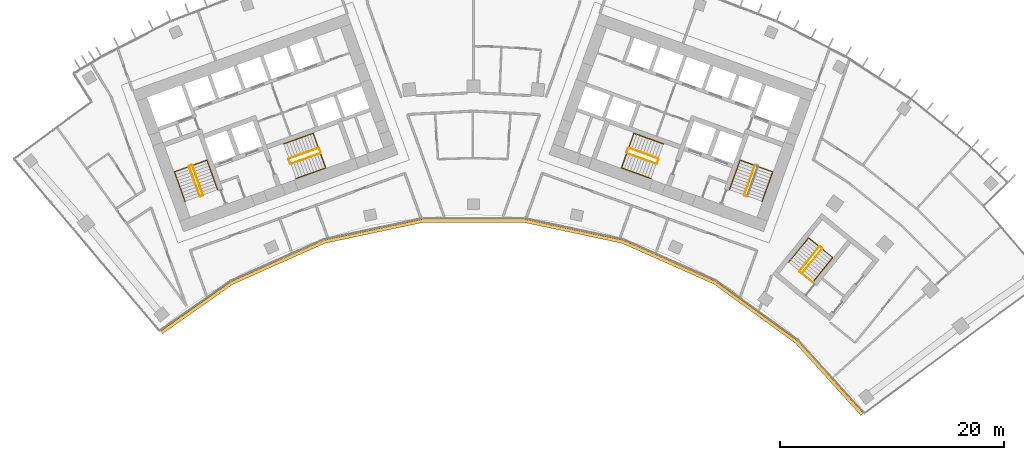
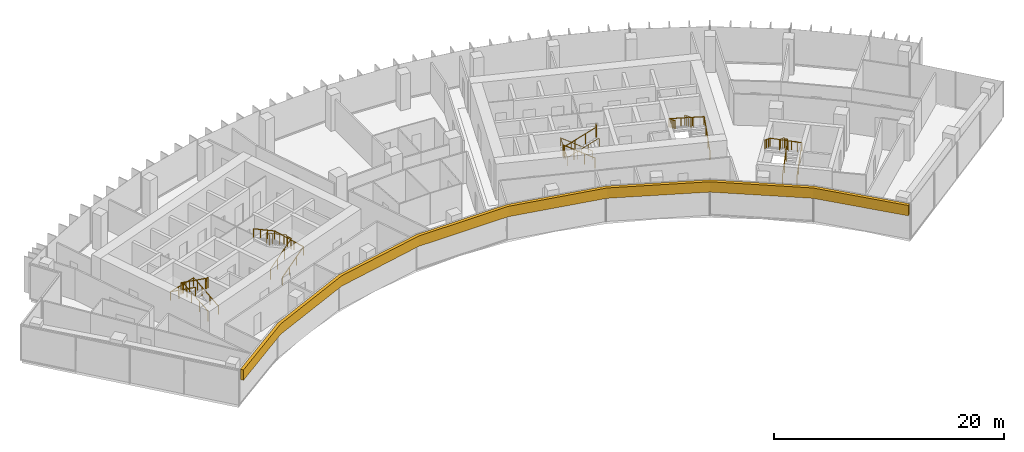
# One storey, part 18 of 19: 14 railings, 1 covering.
"""IFC4 building model written with IfcOpenShell, lengths in metres."""

from ifc_helpers import new_model, si_unit, direction, frame, origin, origin_2d, place, context, subcontext, project, spatial, polyline, circle, outline, extrude, material, layer, layer_set, type_object, element, save


model = new_model("IFC4")

# Units and contexts
model_context = context("Model", 3, precision=1e-05, world=origin(), true_north=direction((0.0, 1.0)))
body_context = subcontext(model_context, "Body", "Model", "MODEL_VIEW")
ifc_project = project(units=[si_unit("LENGTHUNIT", "METRE"), si_unit("AREAUNIT", "SQUARE_METRE"), si_unit("VOLUMEUNIT", "CUBIC_METRE"), si_unit("PLANEANGLEUNIT", "RADIAN"), si_unit("MASSUNIT", "GRAM", prefix="KILO")], contexts=[model_context])

# Site, building, storey
site_placement = place(None, origin())
site = spatial("IfcSite", under=ifc_project, at=site_placement, CompositionType="ELEMENT")
building_placement = place(site_placement, origin())
building = spatial("IfcBuilding", under=site, at=building_placement, Name="Stone Belt Terrace Tower", CompositionType="ELEMENT")
storey_placement = place(building_placement, frame((0.0, 0.0, 246.60009765625)))
storey = spatial("IfcBuildingStorey", under=building, at=storey_placement, Name="L60", CompositionType="ELEMENT", Elevation=246.60009765625)

# Railings
ifc_material_1 = material(Name="Structural steel C345", Category="steel")
railing_type_1 = type_object("IfcRailingType", Name="Stair guard 1100", PredefinedType="GUARDRAIL", material=ifc_material_1)
railing_1_placement = place(storey_placement, frame((-24.2119140625, 45.276123046875, 0.172607421875)))
element("IfcRailing", 1, at=railing_1_placement, inside=storey, type_object=railing_type_1, Name="L60 ST1A stair guard 1", PredefinedType="GUARDRAIL", context=body_context, shape_type="SweptSolid", body=[
    extrude(circle(Radius=0.02392578125, at=origin_2d()), frame((0.0, 0.0, 1.076171875), z_axis=(-0.288228637646, 0.800791768495, 0.525030280985), x_axis=(-0.940908529223, -0.338660803216, 0.0)), (0.0, 0.0, 1.0), 3.289794921875),
    extrude(circle(Radius=0.02392578125, at=origin_2d()), frame((-0.9482421875, 2.634521484375, 2.80322265625), z_axis=(-0.905209821074, 0.424964916, 0.0), x_axis=(-0.424964916, -0.905209821074, 0.0)), (0.0, 0.0, 1.0), 0.070556640625),
    extrude(circle(Radius=0.02392578125, at=origin_2d()), frame((-1.01220703125, 2.66455078125, 2.80322265625), z_axis=(-0.941105063269, -0.338114270461, 0.0), x_axis=(0.338114270461, -0.941105063269, 0.0)), (0.0, 0.0, 1.0), 0.199951171875),
    extrude(circle(Radius=0.02099609375, at=origin_2d()), origin(), (0.0, 0.0, 1.0), 1.052001953125),
    extrude(circle(Radius=0.02099609375, at=origin_2d()), frame((-0.316162109375, 0.878173828125, 0.57568359375)), (0.0, 0.0, 1.0), 1.052001953125),
    extrude(circle(Radius=0.02099609375, at=origin_2d()), frame((-0.632080078125, 1.75634765625, 1.151611328125)), (0.0, 0.0, 1.0), 1.052001953125),
    extrude(circle(Radius=0.02099609375, at=origin_2d()), frame((-0.9482421875, 2.634521484375, 1.727294921875)), (0.0, 0.0, 1.0), 1.052001953125),
    extrude(circle(Radius=0.02099609375, at=origin_2d()), frame((-1.01220703125, 2.66455078125, 1.727294921875)), (0.0, 0.0, 1.0), 1.052001953125),
    extrude(circle(Radius=0.02099609375, at=origin_2d()), frame((-1.200439453125, 2.596923828125, 1.727294921875)), (0.0, 0.0, 1.0), 1.052001953125),
])
railing_2_placement = place(storey_placement, frame((-25.4423828125, 47.80908203125, 2.072509765625)))
element("IfcRailing", 2, at=railing_2_placement, inside=storey, type_object=railing_type_1, Name="L60 ST1A stair guard 2", PredefinedType="GUARDRAIL", context=body_context, shape_type="SweptSolid", body=[
    extrude(circle(Radius=0.02392578125, at=origin_2d()), frame((0.0, 0.0, 1.076171875), z_axis=(0.288228637646, -0.800791768495, 0.525030280985), x_axis=(0.940908529223, 0.338660803216, 0.0)), (0.0, 0.0, 1.0), 3.289794921875),
    extrude(circle(Radius=0.02392578125, at=origin_2d()), frame((0.9482421875, -2.634521484375, 2.80322265625), z_axis=(0.903878284585, -0.427789722475, 0.0), x_axis=(0.427789722475, 0.903878284585, 0.0)), (0.0, 0.0, 1.0), 0.07080078125),
    extrude(circle(Radius=0.02392578125, at=origin_2d()), frame((1.01220703125, -2.664794921875, 2.80322265625), z_axis=(0.940575576748, 0.339584429008, 0.0), x_axis=(-0.339584429008, 0.940575576748, 0.0)), (0.0, 0.0, 1.0), 0.199951171875),
    extrude(circle(Radius=0.02099609375, at=origin_2d()), origin(), (0.0, 0.0, 1.0), 1.052001953125),
    extrude(circle(Radius=0.02099609375, at=origin_2d()), frame((0.316162109375, -0.878173828125, 0.57568359375)), (0.0, 0.0, 1.0), 1.052001953125),
    extrude(circle(Radius=0.02099609375, at=origin_2d()), frame((0.632080078125, -1.75634765625, 1.151611328125)), (0.0, 0.0, 1.0), 1.052001953125),
    extrude(circle(Radius=0.02099609375, at=origin_2d()), frame((0.9482421875, -2.634521484375, 1.727294921875)), (0.0, 0.0, 1.0), 1.052001953125),
    extrude(circle(Radius=0.02099609375, at=origin_2d()), frame((1.01220703125, -2.664794921875, 1.727294921875)), (0.0, 0.0, 1.0), 1.052001953125),
    extrude(circle(Radius=0.02099609375, at=origin_2d()), frame((1.2001953125, -2.596923828125, 1.727294921875)), (0.0, 0.0, 1.0), 1.052001953125),
])
railing_3_placement = place(storey_placement, frame((-16.33837890625, 48.056640625, 0.172607421875)))
element("IfcRailing", 3, at=railing_3_placement, inside=storey, type_object=railing_type_1, Name="L60 ST2A stair guard 1", PredefinedType="GUARDRAIL", context=body_context, shape_type="SweptSolid", body=[
    extrude(circle(Radius=0.02392578125, at=origin_2d()), frame((0.0, 0.0, 1.076171875), z_axis=(0.800808895155, 0.288160591223, 0.52504150989), x_axis=(-0.338583606334, 0.940936311087, 0.0)), (0.0, 0.0, 1.0), 3.289794921875),
    extrude(circle(Radius=0.02392578125, at=origin_2d()), frame((2.634521484375, 0.947998046875, 2.80322265625), z_axis=(0.427789722475, 0.903878284585, 0.0), x_axis=(-0.903878284585, 0.427789722475, 0.0)), (0.0, 0.0, 1.0), 0.07080078125),
    extrude(circle(Radius=0.02392578125, at=origin_2d()), frame((2.664794921875, 1.011962890625, 2.80322265625), z_axis=(-0.338654645739, 0.940910745459, 0.0), x_axis=(-0.940910745459, -0.338654645739, 0.0)), (0.0, 0.0, 1.0), 0.400146484375),
    extrude(circle(Radius=0.02099609375, at=origin_2d()), origin(), (0.0, 0.0, 1.0), 1.052001953125),
    extrude(circle(Radius=0.02099609375, at=origin_2d()), frame((0.878173828125, 0.31591796875, 0.57568359375)), (0.0, 0.0, 1.0), 1.052001953125),
    extrude(circle(Radius=0.02099609375, at=origin_2d()), frame((1.75634765625, 0.632080078125, 1.151611328125)), (0.0, 0.0, 1.0), 1.052001953125),
    extrude(circle(Radius=0.02099609375, at=origin_2d()), frame((2.634521484375, 0.947998046875, 1.727294921875)), (0.0, 0.0, 1.0), 1.052001953125),
    extrude(circle(Radius=0.02099609375, at=origin_2d()), frame((2.664794921875, 1.011962890625, 1.727294921875)), (0.0, 0.0, 1.0), 1.052001953125),
    extrude(circle(Radius=0.02099609375, at=origin_2d()), frame((2.529296875, 1.388427734375, 1.727294921875)), (0.0, 0.0, 1.0), 1.052001953125),
])
railing_4_placement = place(storey_placement, frame((-13.873046875, 49.47509765625, 2.072509765625)))
element("IfcRailing", 4, at=railing_4_placement, inside=storey, type_object=railing_type_1, Name="L60 ST2A stair guard 2", PredefinedType="GUARDRAIL", context=body_context, shape_type="SweptSolid", body=[
    extrude(circle(Radius=0.02392578125, at=origin_2d()), frame((0.0, 0.0, 1.076171875), z_axis=(-0.800808895155, -0.288160591223, 0.52504150989), x_axis=(0.338583606334, -0.940936311087, 0.0)), (0.0, 0.0, 1.0), 3.289794921875),
    extrude(circle(Radius=0.02392578125, at=origin_2d()), frame((-2.634521484375, -0.947998046875, 2.80322265625), z_axis=(-0.427789722475, -0.903878284585, 0.0), x_axis=(0.903878284585, -0.427789722475, 0.0)), (0.0, 0.0, 1.0), 0.07080078125),
    extrude(circle(Radius=0.02392578125, at=origin_2d()), frame((-2.664794921875, -1.011962890625, 2.80322265625), z_axis=(0.338654645739, -0.940910745459, 0.0), x_axis=(0.940910745459, 0.338654645739, 0.0)), (0.0, 0.0, 1.0), 0.400146484375),
    extrude(circle(Radius=0.02099609375, at=origin_2d()), origin(), (0.0, 0.0, 1.0), 1.052001953125),
    extrude(circle(Radius=0.02099609375, at=origin_2d()), frame((-0.878173828125, -0.31591796875, 0.57568359375)), (0.0, 0.0, 1.0), 1.052001953125),
    extrude(circle(Radius=0.02099609375, at=origin_2d()), frame((-1.75634765625, -0.632080078125, 1.151611328125)), (0.0, 0.0, 1.0), 1.052001953125),
    extrude(circle(Radius=0.02099609375, at=origin_2d()), frame((-2.634521484375, -0.947998046875, 1.727294921875)), (0.0, 0.0, 1.0), 1.052001953125),
    extrude(circle(Radius=0.02099609375, at=origin_2d()), frame((-2.664794921875, -1.011962890625, 1.727294921875)), (0.0, 0.0, 1.0), 1.052001953125),
    extrude(circle(Radius=0.02099609375, at=origin_2d()), frame((-2.529296875, -1.388427734375, 1.727294921875)), (0.0, 0.0, 1.0), 1.052001953125),
])
railing_5_placement = place(storey_placement, frame((25.16015625, 47.91064453125, 2.072509765625)))
element("IfcRailing", 5, at=railing_5_placement, inside=storey, type_object=railing_type_1, Name="L60 ST1B stair guard 2", PredefinedType="GUARDRAIL", context=body_context, shape_type="SweptSolid", body=[
    extrude(circle(Radius=0.02392578125, at=origin_2d()), frame((0.0, 0.0, 1.076171875), z_axis=(-0.288228637646, -0.800791768495, 0.525030280985), x_axis=(0.940908529223, -0.338660803216, 0.0)), (0.0, 0.0, 1.0), 3.289794921875),
    extrude(circle(Radius=0.02392578125, at=origin_2d()), frame((-0.9482421875, -2.634521484375, 2.80322265625), z_axis=(0.427789722475, -0.903878284585, 0.0), x_axis=(0.903878284585, 0.427789722475, 0.0)), (0.0, 0.0, 1.0), 0.07080078125),
    extrude(circle(Radius=0.02392578125, at=origin_2d()), frame((-0.91796875, -2.698486328125, 2.80322265625), z_axis=(0.940575576748, -0.339584429008, 0.0), x_axis=(0.339584429008, 0.940575576748, 0.0)), (0.0, 0.0, 1.0), 0.199951171875),
    extrude(circle(Radius=0.02099609375, at=origin_2d()), origin(), (0.0, 0.0, 1.0), 1.052001953125),
    extrude(circle(Radius=0.02099609375, at=origin_2d()), frame((-0.316162109375, -0.878173828125, 0.57568359375)), (0.0, 0.0, 1.0), 1.052001953125),
    extrude(circle(Radius=0.02099609375, at=origin_2d()), frame((-0.632080078125, -1.75634765625, 1.151611328125)), (0.0, 0.0, 1.0), 1.052001953125),
    extrude(circle(Radius=0.02099609375, at=origin_2d()), frame((-0.9482421875, -2.634521484375, 1.727294921875)), (0.0, 0.0, 1.0), 1.052001953125),
    extrude(circle(Radius=0.02099609375, at=origin_2d()), frame((-0.91796875, -2.698486328125, 1.727294921875)), (0.0, 0.0, 1.0), 1.052001953125),
    extrude(circle(Radius=0.02099609375, at=origin_2d()), frame((-0.72998046875, -2.766357421875, 1.727294921875)), (0.0, 0.0, 1.0), 1.052001953125),
])
railing_6_placement = place(storey_placement, frame((16.507568359375, 48.527099609375, 0.172607421875)))
element("IfcRailing", 6, at=railing_6_placement, inside=storey, type_object=railing_type_1, Name="L60 ST2B stair guard 1", PredefinedType="GUARDRAIL", context=body_context, shape_type="SweptSolid", body=[
    extrude(circle(Radius=0.02392578125, at=origin_2d()), frame((0.0, 0.0, 1.076171875), z_axis=(-0.800808895155, 0.288160591223, 0.52504150989), x_axis=(-0.338583606334, -0.940936311087, 0.0)), (0.0, 0.0, 1.0), 3.289794921875),
    extrude(circle(Radius=0.02392578125, at=origin_2d()), frame((-2.634521484375, 0.947998046875, 2.80322265625), z_axis=(-0.905209821074, -0.424964916, 0.0), x_axis=(0.424964916, -0.905209821074, 0.0)), (0.0, 0.0, 1.0), 0.070556640625),
    extrude(circle(Radius=0.02392578125, at=origin_2d()), frame((-2.698486328125, 0.91796875, 2.80322265625), z_axis=(-0.338654645739, -0.940910745459, 0.0), x_axis=(0.940910745459, -0.338654645739, 0.0)), (0.0, 0.0, 1.0), 0.400146484375),
    extrude(circle(Radius=0.02099609375, at=origin_2d()), origin(), (0.0, 0.0, 1.0), 1.052001953125),
    extrude(circle(Radius=0.02099609375, at=origin_2d()), frame((-0.878173828125, 0.31591796875, 0.57568359375)), (0.0, 0.0, 1.0), 1.052001953125),
    extrude(circle(Radius=0.02099609375, at=origin_2d()), frame((-1.75634765625, 0.632080078125, 1.151611328125)), (0.0, 0.0, 1.0), 1.052001953125),
    extrude(circle(Radius=0.02099609375, at=origin_2d()), frame((-2.634521484375, 0.947998046875, 1.727294921875)), (0.0, 0.0, 1.0), 1.052001953125),
    extrude(circle(Radius=0.02099609375, at=origin_2d()), frame((-2.698486328125, 0.91796875, 1.727294921875)), (0.0, 0.0, 1.0), 1.052001953125),
    extrude(circle(Radius=0.02099609375, at=origin_2d()), frame((-2.833984375, 0.54150390625, 1.727294921875)), (0.0, 0.0, 1.0), 1.052001953125),
])
railing_7_placement = place(storey_placement, frame((13.703857421875, 49.004638671875, 2.072509765625)))
element("IfcRailing", 7, at=railing_7_placement, inside=storey, type_object=railing_type_1, Name="L60 ST2B stair guard 2", PredefinedType="GUARDRAIL", context=body_context, shape_type="SweptSolid", body=[
    extrude(circle(Radius=0.02392578125, at=origin_2d()), frame((0.0, 0.0, 1.076171875), z_axis=(0.800808895155, -0.288160591223, 0.52504150989), x_axis=(0.338583606334, 0.940936311087, 0.0)), (0.0, 0.0, 1.0), 3.289794921875),
    extrude(circle(Radius=0.02392578125, at=origin_2d()), frame((2.634521484375, -0.947998046875, 2.80322265625), z_axis=(0.905209821074, 0.424964916, 0.0), x_axis=(-0.424964916, 0.905209821074, 0.0)), (0.0, 0.0, 1.0), 0.070556640625),
    extrude(circle(Radius=0.02392578125, at=origin_2d()), frame((2.698486328125, -0.91796875, 2.80322265625), z_axis=(0.338654645739, 0.940910745459, 0.0), x_axis=(-0.940910745459, 0.338654645739, 0.0)), (0.0, 0.0, 1.0), 0.400146484375),
    extrude(circle(Radius=0.02099609375, at=origin_2d()), origin(), (0.0, 0.0, 1.0), 1.052001953125),
    extrude(circle(Radius=0.02099609375, at=origin_2d()), frame((0.878173828125, -0.31591796875, 0.57568359375)), (0.0, 0.0, 1.0), 1.052001953125),
    extrude(circle(Radius=0.02099609375, at=origin_2d()), frame((1.75634765625, -0.632080078125, 1.151611328125)), (0.0, 0.0, 1.0), 1.052001953125),
    extrude(circle(Radius=0.02099609375, at=origin_2d()), frame((2.634521484375, -0.947998046875, 1.727294921875)), (0.0, 0.0, 1.0), 1.052001953125),
    extrude(circle(Radius=0.02099609375, at=origin_2d()), frame((2.698486328125, -0.91796875, 1.727294921875)), (0.0, 0.0, 1.0), 1.052001953125),
    extrude(circle(Radius=0.02099609375, at=origin_2d()), frame((2.833984375, -0.54150390625, 1.727294921875)), (0.0, 0.0, 1.0), 1.052001953125),
])
railing_8_placement = place(storey_placement, frame((29.39794921875, 38.281982421875, 0.172607421875)))
element("IfcRailing", 8, at=railing_8_placement, inside=storey, type_object=railing_type_1, Name="L60 ST3B stair guard 1", PredefinedType="GUARDRAIL", context=body_context, shape_type="SweptSolid", body=[
    extrude(circle(Radius=0.02392578125, at=origin_2d()), frame((0.0, 0.0, 1.076171875), z_axis=(0.536393061503, 0.660769759217, 0.525038864158), x_axis=(-0.776391310223, 0.630251166924, 0.0)), (0.0, 0.0, 1.0), 3.289794921875),
    extrude(circle(Radius=0.02392578125, at=origin_2d()), frame((1.7646484375, 2.173828125, 2.80322265625), z_axis=(-0.103251414163, 0.994655289773, 0.0), x_axis=(-0.994655289773, -0.103251414163, 0.0)), (0.0, 0.0, 1.0), 0.071044921875),
    extrude(circle(Radius=0.02392578125, at=origin_2d()), frame((1.75732421875, 2.244384765625, 2.80322265625), z_axis=(-0.776561986372, 0.630040856868, 0.0), x_axis=(-0.630040856868, -0.776561986372, 0.0)), (0.0, 0.0, 1.0), 0.199951171875),
    extrude(circle(Radius=0.02099609375, at=origin_2d()), origin(), (0.0, 0.0, 1.0), 1.052001953125),
    extrude(circle(Radius=0.02099609375, at=origin_2d()), frame((0.588134765625, 0.724609375, 0.57568359375)), (0.0, 0.0, 1.0), 1.052001953125),
    extrude(circle(Radius=0.02099609375, at=origin_2d()), frame((1.176513671875, 1.44921875, 1.151611328125)), (0.0, 0.0, 1.0), 1.052001953125),
    extrude(circle(Radius=0.02099609375, at=origin_2d()), frame((1.7646484375, 2.173828125, 1.727294921875)), (0.0, 0.0, 1.0), 1.052001953125),
    extrude(circle(Radius=0.02099609375, at=origin_2d()), frame((1.75732421875, 2.244384765625, 1.727294921875)), (0.0, 0.0, 1.0), 1.052001953125),
    extrude(circle(Radius=0.02099609375, at=origin_2d()), frame((1.60205078125, 2.370361328125, 1.727294921875)), (0.0, 0.0, 1.0), 1.052001953125),
])
railing_9_placement = place(storey_placement, frame((30.9296875, 40.64501953125, 2.072509765625)))
element("IfcRailing", 9, at=railing_9_placement, inside=storey, type_object=railing_type_1, Name="L60 ST3B stair guard 2", PredefinedType="GUARDRAIL", context=body_context, shape_type="SweptSolid", body=[
    extrude(circle(Radius=0.02392578125, at=origin_2d()), frame((0.0, 0.0, 1.076171875), z_axis=(-0.536366759382, -0.660811565066, 0.525013118792), x_axis=(0.776425942316, -0.630208502084, 0.0)), (0.0, 0.0, 1.0), 3.2900390625),
    extrude(circle(Radius=0.02392578125, at=origin_2d()), frame((-1.7646484375, -2.174072265625, 2.80322265625), z_axis=(0.103606084259, -0.994618408891, 0.0), x_axis=(0.994618408891, 0.103606084259, 0.0)), (0.0, 0.0, 1.0), 0.07080078125),
    extrude(circle(Radius=0.02392578125, at=origin_2d()), frame((-1.75732421875, -2.244384765625, 2.80322265625), z_axis=(0.776470379848, -0.63015375046, 0.0), x_axis=(0.63015375046, 0.776470379848, 0.0)), (0.0, 0.0, 1.0), 1.550048828125),
    extrude(circle(Radius=0.02099609375, at=origin_2d()), origin(), (0.0, 0.0, 1.0), 1.052001953125),
    extrude(circle(Radius=0.02099609375, at=origin_2d()), frame((-0.588134765625, -0.724609375, 0.57568359375)), (0.0, 0.0, 1.0), 1.052001953125),
    extrude(circle(Radius=0.02099609375, at=origin_2d()), frame((-1.176513671875, -1.449462890625, 1.151611328125)), (0.0, 0.0, 1.0), 1.052001953125),
    extrude(circle(Radius=0.02099609375, at=origin_2d()), frame((-1.7646484375, -2.174072265625, 1.727294921875)), (0.0, 0.0, 1.0), 1.052001953125),
    extrude(circle(Radius=0.02099609375, at=origin_2d()), frame((-1.75732421875, -2.244384765625, 1.727294921875)), (0.0, 0.0, 1.0), 1.052001953125),
    extrude(circle(Radius=0.02099609375, at=origin_2d()), frame((-1.155517578125, -2.73291015625, 1.727294921875)), (0.0, 0.0, 1.0), 1.052001953125),
    extrude(circle(Radius=0.02099609375, at=origin_2d()), frame((-0.5537109375, -3.22119140625, 1.727294921875)), (0.0, 0.0, 1.0), 1.052001953125),
])
railing_type_2 = type_object("IfcRailingType", Name="Stair handrail 900", PredefinedType="HANDRAIL", material=ifc_material_1)
railing_10_placement = place(storey_placement, frame((-22.894775390625, 45.750244140625, 0.172607421875)))
element("IfcRailing", 10, at=railing_10_placement, inside=storey, type_object=railing_type_2, Name="L60 ST1A stair handrail 1", PredefinedType="HANDRAIL", context=body_context, shape_type="SweptSolid", body=[
    extrude(circle(Radius=0.02392578125, at=origin_2d()), frame((0.0, 0.0, 0.8759765625), z_axis=(-0.288160591223, 0.800808895155, 0.52504150989), x_axis=(-0.940936311087, -0.338583606334, 0.0)), (0.0, 0.0, 1.0), 3.289794921875),
    extrude(circle(Radius=0.02392578125, at=origin_2d()), frame((-0.947998046875, 2.634521484375, 2.60302734375), z_axis=(-0.939464517435, -0.338106580597, 0.055591012205), x_axis=(0.338630230244, -0.940919532779, 0.0)), (0.0, 0.0, 1.0), 3.10498046875),
    extrude(circle(Radius=0.02392578125, at=origin_2d()), frame((-3.864990234375, 1.584716796875, 2.77587890625), z_axis=(0.288228637646, -0.800791768495, 0.525030280985), x_axis=(0.940908529223, 0.338660803216, 0.0)), (0.0, 0.0, 1.0), 3.289794921875),
    extrude(circle(Radius=0.02099609375, at=origin_2d()), origin(), (0.0, 0.0, 1.0), 0.851806640625),
    extrude(circle(Radius=0.02099609375, at=origin_2d()), frame((-0.31591796875, 0.878173828125, 0.57568359375)), (0.0, 0.0, 1.0), 0.851806640625),
    extrude(circle(Radius=0.02099609375, at=origin_2d()), frame((-0.632080078125, 1.75634765625, 1.151611328125)), (0.0, 0.0, 1.0), 0.851806640625),
    extrude(circle(Radius=0.02099609375, at=origin_2d()), frame((-0.947998046875, 2.634521484375, 1.727294921875)), (0.0, 0.0, 1.0), 0.851806640625),
    extrude(circle(Radius=0.02099609375, at=origin_2d()), frame((-1.92041015625, 2.28466796875, 1.784912109375)), (0.0, 0.0, 1.0), 0.851806640625),
    extrude(circle(Radius=0.02099609375, at=origin_2d()), frame((-2.892578125, 1.9345703125, 1.84228515625)), (0.0, 0.0, 1.0), 0.851806640625),
    extrude(circle(Radius=0.02099609375, at=origin_2d()), frame((-3.864990234375, 1.584716796875, 1.89990234375)), (0.0, 0.0, 1.0), 0.851806640625),
    extrude(circle(Radius=0.02099609375, at=origin_2d()), frame((-3.548828125, 0.70654296875, 2.4755859375)), (0.0, 0.0, 1.0), 0.851806640625),
    extrude(circle(Radius=0.02099609375, at=origin_2d()), frame((-3.23291015625, -0.171630859375, 3.051513671875)), (0.0, 0.0, 1.0), 0.851806640625),
    extrude(circle(Radius=0.02099609375, at=origin_2d()), frame((-2.916748046875, -1.0498046875, 3.627197265625)), (0.0, 0.0, 1.0), 0.851806640625),
])
railing_11_placement = place(storey_placement, frame((-15.8642578125, 46.7392578125, 0.172607421875)))
element("IfcRailing", 11, at=railing_11_placement, inside=storey, type_object=railing_type_2, Name="L60 ST2A stair handrail 1", PredefinedType="HANDRAIL", context=body_context, shape_type="SweptSolid", body=[
    extrude(circle(Radius=0.02392578125, at=origin_2d()), frame((0.0, 0.0, 0.8759765625), z_axis=(0.800791768495, 0.288228637646, 0.525030280985), x_axis=(-0.338660803216, 0.940908529223, 0.0)), (0.0, 0.0, 1.0), 3.289794921875),
    extrude(circle(Radius=0.02392578125, at=origin_2d()), frame((2.634521484375, 0.9482421875, 2.60302734375), z_axis=(-0.338160254016, 0.939637778147, 0.052234935458), x_axis=(-0.940922302781, -0.338622533404, 0.0)), (0.0, 0.0, 1.0), 3.304443359375),
    extrude(circle(Radius=0.02392578125, at=origin_2d()), frame((1.51708984375, 4.05322265625, 2.77587890625), z_axis=(-0.800791768495, -0.288228637646, 0.525030280985), x_axis=(0.338660803216, -0.940908529223, 0.0)), (0.0, 0.0, 1.0), 3.289794921875),
    extrude(circle(Radius=0.02099609375, at=origin_2d()), origin(), (0.0, 0.0, 1.0), 0.851806640625),
    extrude(circle(Radius=0.02099609375, at=origin_2d()), frame((0.878173828125, 0.316162109375, 0.57568359375)), (0.0, 0.0, 1.0), 0.851806640625),
    extrude(circle(Radius=0.02099609375, at=origin_2d()), frame((1.75634765625, 0.632080078125, 1.151611328125)), (0.0, 0.0, 1.0), 0.851806640625),
    extrude(circle(Radius=0.02099609375, at=origin_2d()), frame((2.634521484375, 0.9482421875, 1.727294921875)), (0.0, 0.0, 1.0), 0.851806640625),
    extrude(circle(Radius=0.02099609375, at=origin_2d()), frame((2.261962890625, 1.983154296875, 1.784912109375)), (0.0, 0.0, 1.0), 0.851806640625),
    extrude(circle(Radius=0.02099609375, at=origin_2d()), frame((1.8896484375, 3.018310546875, 1.84228515625)), (0.0, 0.0, 1.0), 0.851806640625),
    extrude(circle(Radius=0.02099609375, at=origin_2d()), frame((1.51708984375, 4.05322265625, 1.89990234375)), (0.0, 0.0, 1.0), 0.851806640625),
    extrude(circle(Radius=0.02099609375, at=origin_2d()), frame((0.638916015625, 3.737060546875, 2.4755859375)), (0.0, 0.0, 1.0), 0.851806640625),
    extrude(circle(Radius=0.02099609375, at=origin_2d()), frame((-0.2392578125, 3.421142578125, 3.051513671875)), (0.0, 0.0, 1.0), 0.851806640625),
    extrude(circle(Radius=0.02099609375, at=origin_2d()), frame((-1.117431640625, 3.10498046875, 3.627197265625)), (0.0, 0.0, 1.0), 0.851806640625),
])
railing_12_placement = place(storey_placement, frame((25.8115234375, 44.700439453125, 0.172607421875)))
element("IfcRailing", 12, at=railing_12_placement, inside=storey, type_object=railing_type_2, Name="L60 ST1B stair handrail 1", PredefinedType="HANDRAIL", context=body_context, shape_type="SweptSolid", body=[
    extrude(circle(Radius=0.02392578125, at=origin_2d()), frame((0.0, 0.0, 0.8759765625), z_axis=(0.288228637646, 0.800791768495, 0.525030280985), x_axis=(-0.940908529223, 0.338660803216, 0.0)), (0.0, 0.0, 1.0), 3.289794921875),
    extrude(circle(Radius=0.02392578125, at=origin_2d()), frame((0.9482421875, 2.634521484375, 2.60302734375), z_axis=(-0.939464517435, 0.338106580597, 0.055591012205), x_axis=(-0.338630230244, -0.940919532779, 0.0)), (0.0, 0.0, 1.0), 3.10498046875),
    extrude(circle(Radius=0.02392578125, at=origin_2d()), frame((-1.96875, 3.684326171875, 2.77587890625), z_axis=(-0.288160591223, -0.800808895155, 0.52504150989), x_axis=(0.940936311087, -0.338583606334, 0.0)), (0.0, 0.0, 1.0), 3.289794921875),
    extrude(circle(Radius=0.02099609375, at=origin_2d()), origin(), (0.0, 0.0, 1.0), 0.851806640625),
    extrude(circle(Radius=0.02099609375, at=origin_2d()), frame((0.316162109375, 0.878173828125, 0.57568359375)), (0.0, 0.0, 1.0), 0.851806640625),
    extrude(circle(Radius=0.02099609375, at=origin_2d()), frame((0.632080078125, 1.75634765625, 1.151611328125)), (0.0, 0.0, 1.0), 0.851806640625),
    extrude(circle(Radius=0.02099609375, at=origin_2d()), frame((0.9482421875, 2.634521484375, 1.727294921875)), (0.0, 0.0, 1.0), 0.851806640625),
    extrude(circle(Radius=0.02099609375, at=origin_2d()), frame((-0.024169921875, 2.984375, 1.784912109375)), (0.0, 0.0, 1.0), 0.851806640625),
    extrude(circle(Radius=0.02099609375, at=origin_2d()), frame((-0.996337890625, 3.33447265625, 1.84228515625)), (0.0, 0.0, 1.0), 0.851806640625),
    extrude(circle(Radius=0.02099609375, at=origin_2d()), frame((-1.96875, 3.684326171875, 1.89990234375)), (0.0, 0.0, 1.0), 0.851806640625),
    extrude(circle(Radius=0.02099609375, at=origin_2d()), frame((-2.28466796875, 2.80615234375, 2.4755859375)), (0.0, 0.0, 1.0), 0.851806640625),
    extrude(circle(Radius=0.02099609375, at=origin_2d()), frame((-2.600830078125, 1.927978515625, 3.051513671875)), (0.0, 0.0, 1.0), 0.851806640625),
    extrude(circle(Radius=0.02099609375, at=origin_2d()), frame((-2.916748046875, 1.0498046875, 3.627197265625)), (0.0, 0.0, 1.0), 0.851806640625),
])
railing_13_placement = place(storey_placement, frame((16.981689453125, 49.84423828125, 0.172607421875)))
element("IfcRailing", 13, at=railing_13_placement, inside=storey, type_object=railing_type_2, Name="L60 ST2B stair handrail 1", PredefinedType="HANDRAIL", context=body_context, shape_type="SweptSolid", body=[
    extrude(circle(Radius=0.02392578125, at=origin_2d()), frame((0.0, 0.0, 0.8759765625), z_axis=(-0.800791768495, 0.288228637646, 0.525030280985), x_axis=(-0.338660803216, -0.940908529223, 0.0)), (0.0, 0.0, 1.0), 3.289794921875),
    extrude(circle(Radius=0.02392578125, at=origin_2d()), frame((-2.634521484375, 0.9482421875, 2.60302734375), z_axis=(-0.338160254016, -0.939637778147, 0.052234935458), x_axis=(0.940922302781, -0.338622533404, 0.0)), (0.0, 0.0, 1.0), 3.304443359375),
    extrude(circle(Radius=0.02392578125, at=origin_2d()), frame((-3.751953125, -2.15673828125, 2.77587890625), z_axis=(0.800791768495, -0.288228637646, 0.525030280985), x_axis=(0.338660803216, 0.940908529223, 0.0)), (0.0, 0.0, 1.0), 3.289794921875),
    extrude(circle(Radius=0.02099609375, at=origin_2d()), origin(), (0.0, 0.0, 1.0), 0.851806640625),
    extrude(circle(Radius=0.02099609375, at=origin_2d()), frame((-0.878173828125, 0.316162109375, 0.57568359375)), (0.0, 0.0, 1.0), 0.851806640625),
    extrude(circle(Radius=0.02099609375, at=origin_2d()), frame((-1.75634765625, 0.632080078125, 1.151611328125)), (0.0, 0.0, 1.0), 0.851806640625),
    extrude(circle(Radius=0.02099609375, at=origin_2d()), frame((-2.634521484375, 0.9482421875, 1.727294921875)), (0.0, 0.0, 1.0), 0.851806640625),
    extrude(circle(Radius=0.02099609375, at=origin_2d()), frame((-3.007080078125, -0.086669921875, 1.784912109375)), (0.0, 0.0, 1.0), 0.851806640625),
    extrude(circle(Radius=0.02099609375, at=origin_2d()), frame((-3.37939453125, -1.121826171875, 1.84228515625)), (0.0, 0.0, 1.0), 0.851806640625),
    extrude(circle(Radius=0.02099609375, at=origin_2d()), frame((-3.751953125, -2.15673828125, 1.89990234375)), (0.0, 0.0, 1.0), 0.851806640625),
    extrude(circle(Radius=0.02099609375, at=origin_2d()), frame((-2.873779296875, -2.472900390625, 2.4755859375)), (0.0, 0.0, 1.0), 0.851806640625),
    extrude(circle(Radius=0.02099609375, at=origin_2d()), frame((-1.99560546875, -2.788818359375, 3.051513671875)), (0.0, 0.0, 1.0), 0.851806640625),
    extrude(circle(Radius=0.02099609375, at=origin_2d()), frame((-1.117431640625, -3.10498046875, 3.627197265625)), (0.0, 0.0, 1.0), 0.851806640625),
])
railing_14_placement = place(storey_placement, frame((30.36865234375, 37.494140625, 0.172607421875)))
element("IfcRailing", 14, at=railing_14_placement, inside=storey, type_object=railing_type_2, Name="L60 ST3B stair handrail 1", PredefinedType="HANDRAIL", context=body_context, shape_type="SweptSolid", body=[
    extrude(circle(Radius=0.02392578125, at=origin_2d()), frame((0.0, 0.0, 0.8759765625), z_axis=(0.536366759382, 0.660811565066, 0.525013118792), x_axis=(-0.776425942316, 0.630208502084, 0.0)), (0.0, 0.0, 1.0), 3.2900390625),
    extrude(circle(Radius=0.02392578125, at=origin_2d()), frame((1.7646484375, 2.174072265625, 2.60302734375), z_axis=(-0.774954966459, 0.629014542119, 0.061526463929), x_axis=(-0.630208502084, -0.776425942316, 0.0)), (0.0, 0.0, 1.0), 2.805419921875),
    extrude(circle(Radius=0.02392578125, at=origin_2d()), frame((-0.409423828125, 3.938720703125, 2.77587890625), z_axis=(-0.536366759382, -0.660811565066, 0.525013118792), x_axis=(0.776425942316, -0.630208502084, 0.0)), (0.0, 0.0, 1.0), 3.2900390625),
    extrude(circle(Radius=0.02099609375, at=origin_2d()), origin(), (0.0, 0.0, 1.0), 0.851806640625),
    extrude(circle(Radius=0.02099609375, at=origin_2d()), frame((0.588134765625, 0.724609375, 0.57568359375)), (0.0, 0.0, 1.0), 0.851806640625),
    extrude(circle(Radius=0.02099609375, at=origin_2d()), frame((1.176513671875, 1.449462890625, 1.151611328125)), (0.0, 0.0, 1.0), 0.851806640625),
    extrude(circle(Radius=0.02099609375, at=origin_2d()), frame((1.7646484375, 2.174072265625, 1.727294921875)), (0.0, 0.0, 1.0), 0.851806640625),
    extrude(circle(Radius=0.02099609375, at=origin_2d()), frame((1.0400390625, 2.76220703125, 1.784912109375)), (0.0, 0.0, 1.0), 0.851806640625),
    extrude(circle(Radius=0.02099609375, at=origin_2d()), frame((0.315185546875, 3.3505859375, 1.84228515625)), (0.0, 0.0, 1.0), 0.851806640625),
    extrude(circle(Radius=0.02099609375, at=origin_2d()), frame((-0.409423828125, 3.938720703125, 1.89990234375)), (0.0, 0.0, 1.0), 0.851806640625),
    extrude(circle(Radius=0.02099609375, at=origin_2d()), frame((-0.99755859375, 3.214111328125, 2.4755859375)), (0.0, 0.0, 1.0), 0.851806640625),
    extrude(circle(Radius=0.02099609375, at=origin_2d()), frame((-1.5859375, 2.4892578125, 3.051513671875)), (0.0, 0.0, 1.0), 0.851806640625),
    extrude(circle(Radius=0.02099609375, at=origin_2d()), frame((-2.174072265625, 1.7646484375, 3.627197265625)), (0.0, 0.0, 1.0), 0.851806640625),
])

# Covering
ifc_material_2 = material(Name="Terracotta coloured glazed ceramic", Category="masonry")
ifc_layer = layer(ifc_material_2, 0.300048828125)
ifc_layer_set = layer_set([ifc_layer], Name="Terracotta spandrel band 300 x 1100")
covering_type = type_object("IfcCoveringType", Name="Terracotta spandrel band 300 x 1100", PredefinedType="CLADDING", material=ifc_layer_set)
covering_placement = place(storey_placement, frame((0.0, 0.0, 2.699951171875)))
element("IfcCovering", 15, at=covering_placement, inside=storey, type_object=covering_type, Name="BAND L60", PredefinedType="CLADDING", context=body_context, shape_type="SweptSolid", body=[
    extrude(outline(polyline([(-27.99755859375, 33.096923828125), (-21.67578125, 37.541015625), (-13.395751953125, 41.2275390625), (-4.53125, 43.11181640625), (4.53125, 43.11181640625), (13.395751953125, 41.2275390625), (21.674560546875, 37.54150390625), (29.006591796875, 32.214599609375), (34.877197265625, 25.74609375), (34.655029296875, 25.544677734375), (28.80517578125, 31.989990234375), (21.523681640625, 37.2802734375), (13.302490234375, 40.940673828125), (4.499755859375, 42.811767578125), (-4.499755859375, 42.811767578125), (-13.302490234375, 40.940673828125), (-21.527099609375, 37.27880859375), (-27.8251953125, 32.8515625), (-27.99755859375, 33.096923828125)])), origin(), (0.0, 0.0, 1.0), 1.099853515625),
])

save(model, "model.ifc")
